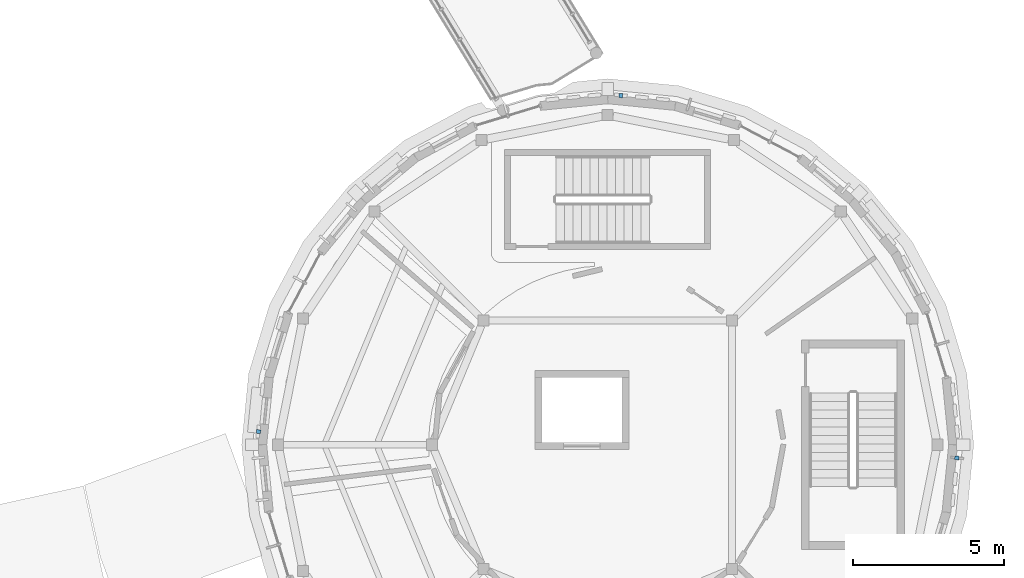
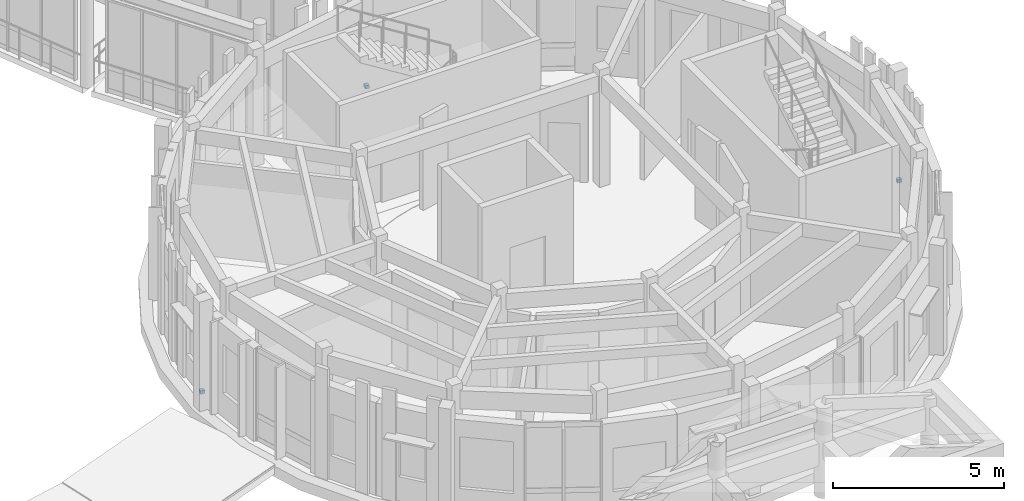
# One storey, part 63 of 80: 3 discrete accessories.
"""IFC4 building model written with IfcOpenShell, lengths in metres."""

import ifcopenshell
import ifcopenshell.guid

model = None  # the IFC model being written
_history = None  # IfcOwnerHistory: only IFC2X3 demands one
_inside = {}  # id of a spatial element -> (the spatial element, [elements in it])
_under = {}  # id of a project, library or spatial element -> (it, [spatial elements below it])
_declared = {}  # id of a project -> (the project, [libraries it declares])
_typed = {}  # id of a type object -> (the type object, [elements of that type])
_made_of = {}  # id of a material, layer set ... -> (it, [elements and type objects made of it])


def new_model(schema):
    """Start an empty IFC model of exactly this schema.

    Asked for "IFC4X3", IfcOpenShell would pick the latest addendum, in which some entities
    have other attributes; the version numbers below select the first issue.
    IFC2X3 requires an IfcOwnerHistory on every rooted entity: one is made here for all.
    """
    global model, _history
    if schema == "IFC4X3":
        model = ifcopenshell.file(schema_version=(4, 3, 0, 0))
    else:
        model = ifcopenshell.file(schema=schema)
    _inside.clear()
    _under.clear()
    _declared.clear()
    _typed.clear()
    _made_of.clear()
    _history = None
    if model.schema == "IFC2X3":
        org = make("IfcOrganization", Name="unknown")
        user = make(
            "IfcPersonAndOrganization",
            ThePerson=make("IfcPerson", FamilyName="unknown"),
            TheOrganization=org,
        )
        app = make(
            "IfcApplication",
            ApplicationDeveloper=org,
            Version="unknown",
            ApplicationFullName="unknown",
            ApplicationIdentifier="unknown",
        )
        _history = make(
            "IfcOwnerHistory",
            OwningUser=user,
            OwningApplication=app,
            ChangeAction="ADDED",
            CreationDate=0,
        )
    return model


def make(cls, **values):
    """One entity of the class cls with the attributes given. An attribute that is None is left unset."""
    return model.create_entity(
        cls, **{name: value for name, value in values.items() if value is not None}
    )


def rooted(cls, **values):
    """An entity with a GlobalId (a new one), such as an element, a storey or a relation."""
    return make(cls, GlobalId=ifcopenshell.guid.new(), OwnerHistory=_history, **values)


def si_unit(unit_type, name, prefix=None):
    """IfcSIUnit, for example si_unit("LENGTHUNIT", "METRE", prefix="MILLI")."""
    return make("IfcSIUnit", UnitType=unit_type, Prefix=prefix, Name=name)


def assignment(units):
    """IfcUnitAssignment: the units of a project."""
    return None if units is None else make("IfcUnitAssignment", Units=units)


def point(xyz):
    """IfcCartesianPoint."""
    return None if xyz is None else make("IfcCartesianPoint", Coordinates=xyz)


def direction(xyz):
    """IfcDirection."""
    return None if xyz is None else make("IfcDirection", DirectionRatios=xyz)


def frame(location, z_axis=None, x_axis=None):
    """IfcAxis2Placement3D, a coordinate frame: its origin and axes. An axis left out is left unset."""
    return make(
        "IfcAxis2Placement3D",
        Location=point(location),
        Axis=direction(z_axis),
        RefDirection=direction(x_axis),
    )


def frame_2d(location, x_axis=None):
    """IfcAxis2Placement2D, a coordinate frame in the plane: its origin and x axis."""
    return make(
        "IfcAxis2Placement2D", Location=point(location), RefDirection=direction(x_axis)
    )


def origin():
    """The frame at (0, 0, 0) with its axes left unset."""
    return frame((0.0, 0.0, 0.0))


def origin_2d():
    """The frame at (0, 0) in the plane with its x axis left unset."""
    return frame_2d((0.0, 0.0))


def place(relative_to, where):
    """IfcLocalPlacement: puts the frame where relative to a parent placement (None: the world)."""
    return make(
        "IfcLocalPlacement", PlacementRelTo=relative_to, RelativePlacement=where
    )


def context(
    kind, dimensions, precision=None, world=None, true_north=None, identifier=None
):
    """IfcGeometricRepresentationContext, for example the 3D "Model" context."""
    return make(
        "IfcGeometricRepresentationContext",
        ContextIdentifier=identifier,
        ContextType=kind,
        CoordinateSpaceDimension=dimensions,
        Precision=precision,
        WorldCoordinateSystem=world,
        TrueNorth=true_north,
    )


def subcontext(parent, identifier, kind, view, scale=None):
    """IfcGeometricRepresentationSubContext, for example "Body" below "Model"."""
    return make(
        "IfcGeometricRepresentationSubContext",
        ContextIdentifier=identifier,
        ContextType=kind,
        ParentContext=parent,
        TargetScale=scale,
        TargetView=view,
    )


def project(units=None, contexts=None):
    """IfcProject with its units and contexts."""
    return rooted(
        "IfcProject",
        Name="project",
        RepresentationContexts=contexts,
        UnitsInContext=assignment(units),
    )


def spatial(cls, under=None, at=None, **own):
    """A site, building, storey or space (cls), placed at a placement, below another one or the project."""
    s = rooted(cls, ObjectPlacement=at, **own)
    if under is not None:
        _under.setdefault(under.id(), (under, []))[1].append(s)
    return s


def profile(cls, at=None, kind="AREA", **sizes):
    """A parametric profile (cls). Its sizes go by their IFC names, for example OverallWidth=200.0."""
    return make(cls, ProfileType=kind, Position=at, **sizes)


def rectangle(**sizes):
    """IfcRectangleProfileDef."""
    return profile("IfcRectangleProfileDef", **sizes)


def extrude(swept, where, along, depth):
    """IfcExtrudedAreaSolid: the profile swept, set in the frame where, extruded along a direction by depth."""
    return make(
        "IfcExtrudedAreaSolid",
        SweptArea=swept,
        Position=where,
        ExtrudedDirection=direction(along),
        Depth=depth,
    )


def shape(context_of_items, identifier, shape_type, items):
    """IfcShapeRepresentation: the items that make up one representation, for example the "Body"."""
    return make(
        "IfcShapeRepresentation",
        ContextOfItems=context_of_items,
        RepresentationIdentifier=identifier,
        RepresentationType=shape_type,
        Items=items,
    )


def material(Name=None, Category=None):
    """IfcMaterial."""
    return make("IfcMaterial", Name=Name, Category=Category)


def made_of(thing, what):
    """Note that an element or type object is made of a material, layer set ...; save() writes the relation."""
    if what is not None:
        _made_of.setdefault(what.id(), (what, []))[1].append(thing)
    return thing


def type_object(cls, material=None, **own):
    """A type object (cls), such as IfcWallType, which elements share."""
    return made_of(rooted(cls, **own), material)


def element(
    cls,
    number,
    at=None,
    inside=None,
    cuts=None,
    type_object=None,
    material=None,
    context=None,
    identifier="Body",
    shape_type=None,
    held_by="IfcProductDefinitionShape",
    body=None,
    shapes=None,
    **own,
):
    """One element of the class cls, such as IfcWall. Its Tag is "e" and its number.

    at: its placement. inside: the storey or other place that contains it. cuts: it is an
    opening in that element (IfcRelVoidsElement). A single representation is given by context,
    identifier, shape_type and body (its items); several are given by shapes. held_by: the class
    of the entity that holds the representations. save() writes the other relations.
    """
    e = rooted(cls, Tag="e%d" % number, ObjectPlacement=at, **own)
    if body is not None:
        shapes = [shape(context, identifier, shape_type, body)]
    if shapes is not None:
        e.Representation = make(held_by, Representations=shapes)
    if inside is not None:
        _inside.setdefault(inside.id(), (inside, []))[1].append(e)
    if cuts is not None:
        rooted(
            "IfcRelVoidsElement", RelatingBuildingElement=cuts, RelatedOpeningElement=e
        )
    if type_object is not None:
        _typed.setdefault(type_object.id(), (type_object, []))[1].append(e)
    return made_of(e, material)


def aggregate(whole, parts):
    """IfcRelAggregates: a whole, such as a stair, and the parts it consists of."""
    return rooted("IfcRelAggregates", RelatingObject=whole, RelatedObjects=parts)


def save(model, path):
    """Write the relations noted so far, then the file.

    IfcRelAggregates (storeys below a building ...), IfcRelContainedInSpatialStructure (elements
    in a storey), IfcRelDefinesByType, IfcRelAssociatesMaterial and IfcRelDeclares: one each for
    every whole, place, type object, material and project.
    """
    for whole, parts in _under.values():
        aggregate(whole, parts)
    for where, things in _inside.values():
        rooted(
            "IfcRelContainedInSpatialStructure",
            RelatedElements=things,
            RelatingStructure=where,
        )
    for kind, things in _typed.values():
        rooted("IfcRelDefinesByType", RelatedObjects=things, RelatingType=kind)
    for what, things in _made_of.values():
        rooted("IfcRelAssociatesMaterial", RelatedObjects=things, RelatingMaterial=what)
    for by, libraries in _declared.values():
        rooted("IfcRelDeclares", RelatingContext=by, RelatedDefinitions=libraries)
    model.write(path)


model = new_model("IFC4")

# Units and contexts
model_context = context("Model", 3, precision=1e-05, world=origin(), true_north=direction((0.0, 1.0)))
body_context = subcontext(model_context, "Body", "Model", "MODEL_VIEW")
ifc_project = project(units=[si_unit("LENGTHUNIT", "METRE"), si_unit("AREAUNIT", "SQUARE_METRE"), si_unit("VOLUMEUNIT", "CUBIC_METRE"), si_unit("PLANEANGLEUNIT", "RADIAN"), si_unit("MASSUNIT", "GRAM", prefix="KILO")], contexts=[model_context])

# Site, building, storey
site_placement = place(None, origin())
site = spatial("IfcSite", under=ifc_project, at=site_placement, CompositionType="ELEMENT")
building_placement = place(site_placement, origin())
building = spatial("IfcBuilding", under=site, at=building_placement, Name="Aldenvaro Health Centre", CompositionType="ELEMENT")
storey_placement = place(building_placement, frame((0.0, 0.0, 4.550048828125)))
storey = spatial("IfcBuildingStorey", under=building, at=storey_placement, Name="L01", CompositionType="ELEMENT", Elevation=4.550048828125)

# Discrete accessories
ifc_material = material(Name="Stainless Steel AISI 316", Category="steel")
discrete_accessory_type = type_object("IfcDiscreteAccessoryType", Name="ACC-BRK-01", PredefinedType="BRACKET", material=ifc_material)
for number, where, z_axis, x_axis, name in (
    (1, (166.02294921875, 18.06591796875, 0.18994140625), (0.0, 0.0, 1.0), (-0.097997250052, -0.995186685493, 0.0), "D6 L01 stainless fin bracket 1"),
    (2, (142.97705078125, 18.93408203125, 0.18994140625), (0.0, 0.0, 1.0), (0.097997250052, 0.995186685493, 0.0), "D6 L01 stainless fin bracket 17"),
    (3, (154.93408203125, 30.02294921875, 0.18994140625), (0.0, 0.0, 1.0), (0.995186685493, -0.097997250052, 0.0), "D6 L01 stainless fin bracket 25"),
):
    element("IfcDiscreteAccessory", number, at=place(storey_placement, frame(where, z_axis=z_axis, x_axis=x_axis)), inside=storey, type_object=discrete_accessory_type, Name=name, PredefinedType="BRACKET", context=body_context, shape_type="SweptSolid", body=[
        extrude(rectangle(XDim=0.1201171875, YDim=0.139892578125, at=origin_2d()), origin(), (0.0, 0.0, 1.0), 0.1201171875),
    ])

save(model, "model.ifc")
